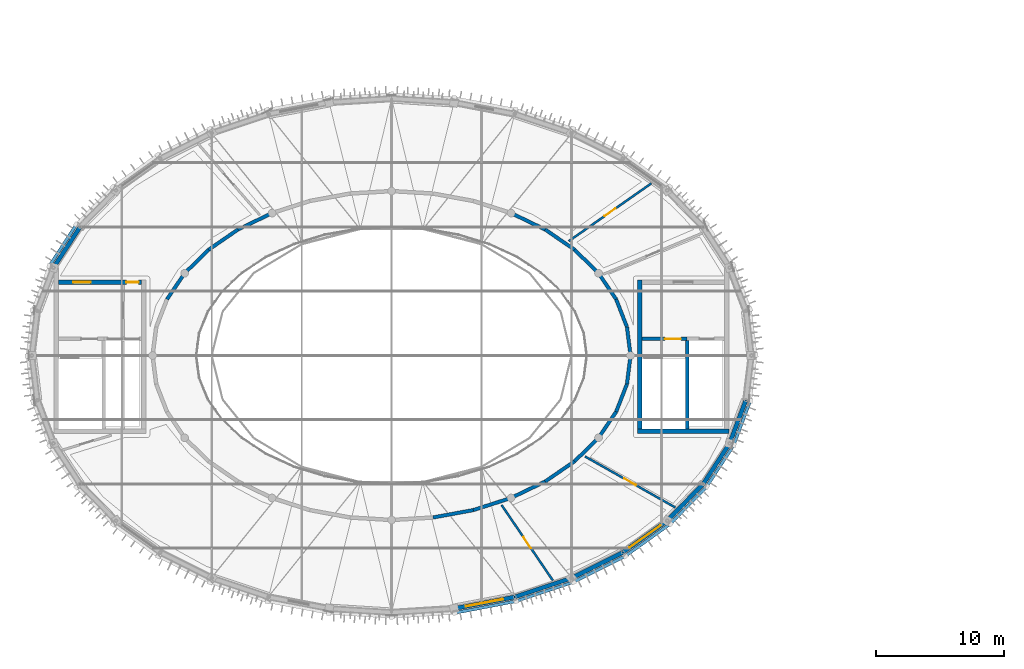
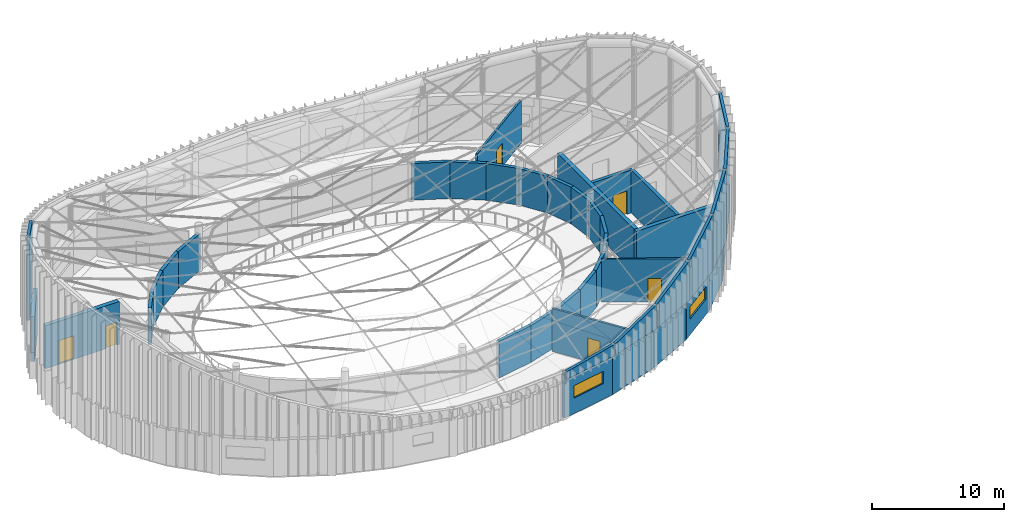
# One storey, part 26 of 36: 42 walls, 6 doors, 2 windows, 8 openings.
"""IFC4 building model written with IfcOpenShell, lengths in metres."""

from ifc_helpers import new_model, si_unit, direction, frame, frame_2d, origin, place, context, subcontext, project, spatial, polyline, rectangle, outline, extrude, material, layer, layer_set, type_object, element, fill, save


model = new_model("IFC4")

# Units and contexts
model_context = context("Model", 3, precision=1e-05, world=origin(), true_north=direction((0.0, 1.0)))
body_context = subcontext(model_context, "Body", "Model", "MODEL_VIEW")
ifc_project = project(units=[si_unit("LENGTHUNIT", "METRE"), si_unit("AREAUNIT", "SQUARE_METRE"), si_unit("VOLUMEUNIT", "CUBIC_METRE"), si_unit("PLANEANGLEUNIT", "RADIAN"), si_unit("MASSUNIT", "GRAM", prefix="KILO")], contexts=[model_context])

# Site, building, storey
site_placement = place(None, origin())
site = spatial("IfcSite", under=ifc_project, at=site_placement, CompositionType="ELEMENT")
building_placement = place(site_placement, origin())
building = spatial("IfcBuilding", under=site, at=building_placement, Name="Tarnveldt Headland Concert Hall", CompositionType="ELEMENT")
storey_placement = place(building_placement, frame((0.0, 0.0, 22.800048828125)))
storey = spatial("IfcBuildingStorey", under=building, at=storey_placement, Name="L05", CompositionType="ELEMENT", Elevation=22.800048828125)

# Wall
ifc_material_1 = material(Name="Concrete C40/50", Category="concrete")
ifc_layer_1 = layer(ifc_material_1, 0.324951171875, Name="Concrete C40/50", Category="concrete")
ifc_layer_set_1 = layer_set([ifc_layer_1], Name="Concrete C40/50")
wall_type_1 = type_object("IfcWallType", Name="WL-CR325", PredefinedType="SHEAR", material=ifc_layer_set_1)
wall_1_placement = place(storey_placement, frame((59.251220703125, 64.5, 0.0), z_axis=(0.0, 0.0, 1.0), x_axis=(-0.546611158382, -0.837386554425, 0.0)))
element("IfcWall", 1, at=wall_1_placement, inside=storey, type_object=wall_type_1, Name="Symphony drum shear wall L05-16", PredefinedType="SHEAR", context=body_context, shape_type="SweptSolid", body=[
    extrude(rectangle(XDim=3.773193359375, YDim=0.324951171875, at=frame_2d((1.88671875, 0.0))), origin(), (0.0, 0.0, 1.0), 4.199951171875),
])

# Wall, opening, window
wall_2_placement = place(storey_placement, frame((88.362060546875, 34.8037109375, 0.0), z_axis=(0.0, 0.0, 1.0), x_axis=(0.982172578083, 0.187981453503, 0.0)))
wall_2 = element("IfcWall", 2, at=wall_2_placement, inside=storey, type_object=wall_type_1, Name="Symphony drum shear wall L05-29", PredefinedType="SHEAR", context=body_context, shape_type="SweptSolid", body=[
    extrude(rectangle(XDim=4.80029296875, YDim=0.324951171875, at=frame_2d((2.400146484375, 0.0))), origin(), (0.0, 0.0, 1.0), 4.199951171875),
])
opening_1_placement = place(wall_2_placement, frame((0.925048828125, 0.0, 1.449951171875)))
opening_1 = element("IfcOpeningElement", 3, at=opening_1_placement, cuts=wall_2, Name="Opening W-D022", PredefinedType="OPENING", context=body_context, shape_type="SweptSolid", body=[
    extrude(rectangle(XDim=2.949951171875, YDim=1.14990234375, at=frame_2d((1.47509765625, 0.574951171875))), frame((0.0, 0.17236328125, 0.0), z_axis=(0.0, -1.0, 0.0), x_axis=(1.0, 0.0, 0.0)), (0.0, 0.0, 1.0), 0.344970703125),
])
ifc_material_2 = material(Name="Acoustic laminated low-iron double glazing", Category="glass")
window_type = type_object("IfcWindowType", Name="WN-23", PartitioningType="SINGLE_PANEL", PredefinedType="WINDOW", material=ifc_material_2)
window_1_placement = place(opening_1_placement, origin())
window_1 = element("IfcWindow", 4, at=window_1_placement, inside=storey, type_object=window_type, Name="Drum acoustic gallery window L05-29", OverallHeight=1.14990234375, OverallWidth=2.949951171875, PartitioningType="SINGLE_PANEL", PredefinedType="WINDOW", context=body_context, shape_type="SweptSolid", body=[
    extrude(rectangle(XDim=2.949951171875, YDim=1.14990234375, at=frame_2d((1.47509765625, 0.574951171875))), frame((0.0, 0.030029296875, 0.0), z_axis=(0.0, -1.0, 0.0), x_axis=(1.0, 0.0, 0.0)), (0.0, 0.0, 1.0), 0.06005859375),
])
fill(opening_1, window_1)

# Walls
wall_3_placement = place(storey_placement, frame((93.07666015625, 35.7060546875, 0.0), z_axis=(0.0, 0.0, 1.0), x_axis=(0.948751350732, 0.316023534699, 0.0)))
element("IfcWall", 5, at=wall_3_placement, inside=storey, type_object=wall_type_1, Name="Symphony drum shear wall L05-30", PredefinedType="SHEAR", context=body_context, shape_type="SweptSolid", body=[
    extrude(rectangle(XDim=4.662353515625, YDim=0.324951171875, at=frame_2d((2.3310546875, 0.0))), origin(), (0.0, 0.0, 1.0), 4.199951171875),
])
wall_4_placement = place(storey_placement, frame((97.5, 37.179443359375, 0.0), z_axis=(0.0, 0.0, 1.0), x_axis=(0.894361644392, 0.447344664705, 0.0)))
element("IfcWall", 6, at=wall_4_placement, inside=storey, type_object=wall_type_1, Name="Symphony drum shear wall L05-31", PredefinedType="SHEAR", context=body_context, shape_type="SweptSolid", body=[
    extrude(rectangle(XDim=4.47021484375, YDim=0.324951171875, at=frame_2d((2.235107421875, 0.0))), origin(), (0.0, 0.0, 1.0), 4.199951171875),
])

# Wall, opening, window
wall_5_placement = place(storey_placement, frame((101.498046875, 39.17919921875, 0.0), z_axis=(0.0, 0.0, 1.0), x_axis=(0.813737360708, 0.581232748378, 0.0)))
wall_5 = element("IfcWall", 7, at=wall_5_placement, inside=storey, type_object=wall_type_1, Name="Symphony drum shear wall L05-32", PredefinedType="SHEAR", context=body_context, shape_type="SweptSolid", body=[
    extrude(rectangle(XDim=4.2412109375, YDim=0.324951171875, at=frame_2d((2.12060546875, 0.0))), origin(), (0.0, 0.0, 1.0), 4.199951171875),
])
opening_2_placement = place(wall_5_placement, frame((0.6455078125, 0.0, 1.449951171875)))
opening_2 = element("IfcOpeningElement", 8, at=opening_2_placement, cuts=wall_5, Name="Opening W-D023", PredefinedType="OPENING", context=body_context, shape_type="SweptSolid", body=[
    extrude(rectangle(XDim=2.949951171875, YDim=1.14990234375, at=frame_2d((1.47509765625, 0.574951171875))), frame((0.0, 0.17236328125, 0.0), z_axis=(0.0, -1.0, 0.0), x_axis=(1.0, 0.0, 0.0)), (0.0, 0.0, 1.0), 0.344970703125),
])
window_2_placement = place(opening_2_placement, origin())
window_2 = element("IfcWindow", 9, at=window_2_placement, inside=storey, type_object=window_type, Name="Drum acoustic gallery window L05-32", OverallHeight=1.14990234375, OverallWidth=2.949951171875, PartitioningType="SINGLE_PANEL", PredefinedType="WINDOW", context=body_context, shape_type="SweptSolid", body=[
    extrude(rectangle(XDim=2.949951171875, YDim=1.14990234375, at=frame_2d((1.47509765625, 0.574951171875))), frame((0.0, 0.030029296875, 0.0), z_axis=(0.0, -1.0, 0.0), x_axis=(1.0, 0.0, 0.0)), (0.0, 0.0, 1.0), 0.06005859375),
])
fill(opening_2, window_2)

# Walls
wall_6_placement = place(storey_placement, frame((104.94921875, 41.644287109375, 0.0), z_axis=(0.0, 0.0, 1.0), x_axis=(0.700051268358, 0.714092586203, 0.0)))
element("IfcWall", 10, at=wall_6_placement, inside=storey, type_object=wall_type_1, Name="Symphony drum shear wall L05-33", PredefinedType="SHEAR", context=body_context, shape_type="SweptSolid", body=[
    extrude(rectangle(XDim=3.9990234375, YDim=0.324951171875, at=frame_2d((1.99951171875, 0.0))), origin(), (0.0, 0.0, 1.0), 4.199951171875),
])
wall_7_placement = place(storey_placement, frame((107.748779296875, 44.5, 0.0), z_axis=(0.0, 0.0, 1.0), x_axis=(0.546611158382, 0.837386554425, 0.0)))
element("IfcWall", 11, at=wall_7_placement, inside=storey, type_object=wall_type_1, Name="Symphony drum shear wall L05-34", PredefinedType="SHEAR", context=body_context, shape_type="SweptSolid", body=[
    extrude(rectangle(XDim=3.773193359375, YDim=0.324951171875, at=frame_2d((1.88671875, 0.0))), origin(), (0.0, 0.0, 1.0), 4.199951171875),
])
wall_8_placement = place(storey_placement, frame((109.811279296875, 47.65966796875, 0.0), z_axis=(0.0, 0.0, 1.0), x_axis=(0.351279653979, 0.936270583058, 0.0)))
element("IfcWall", 12, at=wall_8_placement, inside=storey, type_object=wall_type_1, Name="Symphony drum shear wall L05-35", PredefinedType="SHEAR", context=body_context, shape_type="SweptSolid", body=[
    extrude(rectangle(XDim=3.5966796875, YDim=0.324951171875, at=frame_2d((1.79833984375, 0.0))), origin(), (0.0, 0.0, 1.0), 4.199951171875),
])

# Wall, openings, doors
ifc_layer_2 = layer(ifc_material_1, 0.35009765625, Name="Concrete C40/50", Category="concrete")
ifc_layer_set_2 = layer_set([ifc_layer_2], Name="Concrete C40/50")
wall_type_2 = type_object("IfcWallType", Name="WL-CR350", PredefinedType="SHEAR", material=ifc_layer_set_2)
wall_9_placement = place(storey_placement, frame((57.574951171875, 60.199951171875, 0.0), z_axis=(0.0, 0.0, 1.0), x_axis=(1.0, 0.0, 0.0)))
wall_9 = element("IfcWall", 13, at=wall_9_placement, inside=storey, type_object=wall_type_2, Name="Core C1 north shear wall L05", PredefinedType="SHEAR", context=body_context, shape_type="SweptSolid", body=[
    extrude(rectangle(XDim=6.449951171875, YDim=0.35009765625, at=frame_2d((3.22509765625, 0.0))), origin(), (0.0, 0.0, 1.0), 3.97998046875),
])
opening_3_placement = place(wall_9_placement, frame((1.14990234375, 0.0, 0.0)))
opening_3 = element("IfcOpeningElement", 14, at=opening_3_placement, cuts=wall_9, Name="Opening FFD-C1-L05", PredefinedType="OPENING", context=body_context, shape_type="SweptSolid", body=[
    extrude(rectangle(XDim=1.35009765625, YDim=2.199951171875, at=frame_2d((0.675048828125, 1.10009765625))), frame((0.0, 0.18505859375, 0.0), z_axis=(0.0, -1.0, 0.0), x_axis=(1.0, 0.0, 0.0)), (0.0, 0.0, 1.0), 0.3701171875),
])
opening_4_placement = place(wall_9_placement, frame((5.280029296875, 0.0, 0.0)))
opening_4 = element("IfcOpeningElement", 15, at=opening_4_placement, cuts=wall_9, Name="Opening LBD-C1-L05", PredefinedType="OPENING", context=body_context, shape_type="SweptSolid", body=[
    extrude(rectangle(XDim=0.949951171875, YDim=2.1201171875, at=frame_2d((0.47509765625, 1.06005859375))), frame((0.0, 0.18505859375, 0.0), z_axis=(0.0, -1.0, 0.0), x_axis=(1.0, 0.0, 0.0)), (0.0, 0.0, 1.0), 0.3701171875),
])
ifc_material_3 = material(Name="Galvanised painted steel sheet", Category="steel")
door_type_1 = type_object("IfcDoorType", Name="DR-FF135", OperationType="NOTDEFINED", PredefinedType="DOOR", material=ifc_material_3)
door_1_placement = place(opening_3_placement, origin())
door_1 = element("IfcDoor", 16, at=door_1_placement, inside=storey, type_object=door_type_1, Name="Core C1 firefighting lobby entrance door L05", OperationType="SINGLE_SWING_RIGHT", OverallHeight=2.199951171875, OverallWidth=1.35009765625, PredefinedType="DOOR", context=body_context, shape_type="SweptSolid", body=[
    extrude(rectangle(XDim=1.35009765625, YDim=2.199951171875, at=frame_2d((0.675048828125, 1.10009765625))), frame((0.0, 0.02490234375, 0.0), z_axis=(0.0, -1.0, 0.0), x_axis=(1.0, 0.0, 0.0)), (0.0, 0.0, 1.0), 0.050048828125),
])
fill(opening_3, door_1)
ifc_material_4 = material(Name="Treated East African mvule hardwood", Category="wood")
door_type_2 = type_object("IfcDoorType", Name="DR-RM095", OperationType="NOTDEFINED", PredefinedType="DOOR", material=ifc_material_4)
door_2_placement = place(opening_4_placement, origin())
door_2 = element("IfcDoor", 17, at=door_2_placement, inside=storey, type_object=door_type_2, Name="Core C1 lift lobby entrance door L05", OperationType="SINGLE_SWING_LEFT", OverallHeight=2.1201171875, OverallWidth=0.949951171875, PredefinedType="DOOR", context=body_context, shape_type="SweptSolid", body=[
    extrude(rectangle(XDim=0.949951171875, YDim=2.1201171875, at=frame_2d((0.47509765625, 1.06005859375))), frame((0.0, 0.02490234375, 0.0), z_axis=(0.0, -1.0, 0.0), x_axis=(1.0, 0.0, 0.0)), (0.0, 0.0, 1.0), 0.050048828125),
])
fill(opening_4, door_2)

# Walls
wall_10_placement = place(storey_placement, frame((102.625, 48.60009765625, 0.0), z_axis=(0.0, 0.0, 1.0), x_axis=(1.0, 0.0, 0.0)))
element("IfcWall", 18, at=wall_10_placement, inside=storey, type_object=wall_type_2, Name="Core C2 south shear wall L05", PredefinedType="SHEAR", context=body_context, shape_type="SweptSolid", body=[
    extrude(rectangle(XDim=7.14990234375, YDim=0.35009765625, at=frame_2d((3.574951171875, 0.0))), origin(), (0.0, 0.0, 1.0), 3.97998046875),
])
wall_11_placement = place(storey_placement, frame((102.800048828125, 48.77490234375, 0.0), z_axis=(0.0, 0.0, 1.0), x_axis=(0.0, 1.0, 0.0)))
element("IfcWall", 19, at=wall_11_placement, inside=storey, type_object=wall_type_2, Name="Core C2 west shear wall L05", PredefinedType="SHEAR", context=body_context, shape_type="SweptSolid", body=[
    extrude(rectangle(XDim=11.60009765625, YDim=0.35009765625, at=frame_2d((5.800048828125, 0.0))), origin(), (0.0, 0.0, 1.0), 3.97998046875),
])
ifc_material_5 = material(Name="Coral-toned precast concrete C40/50", Category="concrete")
ifc_layer_3 = layer(ifc_material_5, 0.239990234375, Name="Coral-toned precast concrete C40/50", Category="concrete")
ifc_layer_set_3 = layer_set([ifc_layer_3], Name="Coral-toned precast concrete C40/50")
wall_type_3 = type_object("IfcWallType", Name="WL-EX240", PredefinedType="SOLIDWALL", material=ifc_layer_set_3)
wall_12_placement = place(storey_placement, frame((58.966552734375, 64.685791015625, 3.800048828125), z_axis=(0.0, 0.0, 1.0), x_axis=(-0.546686144595, -0.837337601752, 0.0)))
element("IfcWall", 20, at=wall_12_placement, inside=storey, type_object=wall_type_3, Name="Crown saddle acoustic tympanum panel 16", PredefinedType="SOLIDWALL", context=body_context, shape_type="SweptSolid", body=[
    extrude(outline(polyline([(0.0, 0.0), (3.773193359375, 0.0), (3.773193359375, 7.79052734375), (0.0, 6.619873046875), (0.0, 0.0)])), frame((0.0, 0.1201171875, 0.0), z_axis=(0.0, -1.0, 0.0), x_axis=(1.0, 0.0, 0.0)), (0.0, 0.0, 1.0), 0.239990234375),
])
wall_13_placement = place(storey_placement, frame((88.426025390625, 34.469970703125, 3.800048828125), z_axis=(0.0, 0.0, 1.0), x_axis=(0.98217078068, 0.187990844401, 0.0)))
element("IfcWall", 21, at=wall_13_placement, inside=storey, type_object=wall_type_3, Name="Crown saddle acoustic tympanum panel 29", PredefinedType="SOLIDWALL", context=body_context, shape_type="SweptSolid", body=[
    extrude(outline(polyline([(0.0, 0.0), (4.800048828125, 0.0), (4.800048828125, 1.04931640625), (0.0, 0.699951171875), (0.0, 0.0)])), frame((0.0, 0.1201171875, 0.0), z_axis=(0.0, -1.0, 0.0), x_axis=(1.0, 0.0, 0.0)), (0.0, 0.0, 1.0), 0.239990234375),
])
wall_14_placement = place(storey_placement, frame((93.18408203125, 35.383544921875, 3.800048828125), z_axis=(0.0, 0.0, 1.0), x_axis=(0.948751350732, 0.316023534699, 0.0)))
element("IfcWall", 22, at=wall_14_placement, inside=storey, type_object=wall_type_3, Name="Crown saddle acoustic tympanum panel 30", PredefinedType="SOLIDWALL", context=body_context, shape_type="SweptSolid", body=[
    extrude(outline(polyline([(0.0, 0.0), (4.662353515625, 0.0), (4.662353515625, 2.219970703125), (0.0, 1.04931640625), (0.0, 0.0)])), frame((0.0, 0.1201171875, 0.0), z_axis=(0.0, -1.0, 0.0), x_axis=(1.0, 0.0, 0.0)), (0.0, 0.0, 1.0), 0.239990234375),
])
wall_15_placement = place(storey_placement, frame((97.652099609375, 36.87548828125, 3.800048828125), z_axis=(0.0, 0.0, 1.0), x_axis=(0.894383494328, 0.447300978172, 0.0)))
element("IfcWall", 23, at=wall_15_placement, inside=storey, type_object=wall_type_3, Name="Crown saddle acoustic tympanum panel 31", PredefinedType="SOLIDWALL", context=body_context, shape_type="SweptSolid", body=[
    extrude(outline(polyline([(0.0, 0.0), (4.47021484375, 0.0), (4.47021484375, 3.656005859375), (0.0, 2.219970703125), (0.0, 0.0)])), frame((0.0, 0.1201171875, 0.0), z_axis=(0.0, -1.0, 0.0), x_axis=(1.0, 0.0, 0.0)), (0.0, 0.0, 1.0), 0.239990234375),
])
wall_16_placement = place(storey_placement, frame((101.69580078125, 38.90234375, 3.800048828125), z_axis=(0.0, 0.0, 1.0), x_axis=(0.813717912107, 0.581259975843, 0.0)))
element("IfcWall", 24, at=wall_16_placement, inside=storey, type_object=wall_type_3, Name="Crown saddle acoustic tympanum panel 32", PredefinedType="SOLIDWALL", context=body_context, shape_type="SweptSolid", body=[
    extrude(outline(polyline([(0.0, 0.0), (4.240966796875, 0.0), (4.2412109375, 5.183837890625), (0.0, 3.656005859375), (0.0, 0.0)])), frame((0.0, 0.1201171875, 0.0), z_axis=(0.0, -1.0, 0.0), x_axis=(1.0, 0.0, 0.0)), (0.0, 0.0, 1.0), 0.239990234375),
])
wall_17_placement = place(storey_placement, frame((105.19189453125, 41.40625, 3.800048828125), z_axis=(0.0, 0.0, 1.0), x_axis=(0.700051268358, 0.714092586203, 0.0)))
element("IfcWall", 25, at=wall_17_placement, inside=storey, type_object=wall_type_3, Name="Crown saddle acoustic tympanum panel 33", PredefinedType="SOLIDWALL", context=body_context, shape_type="SweptSolid", body=[
    extrude(outline(polyline([(0.0, 0.0), (3.9990234375, 0.0), (3.9990234375, 6.619873046875), (0.0, 5.183837890625), (0.0, 0.0)])), frame((0.0, 0.1201171875, 0.0), z_axis=(0.0, -1.0, 0.0), x_axis=(1.0, 0.0, 0.0)), (0.0, 0.0, 1.0), 0.239990234375),
])
wall_18_placement = place(storey_placement, frame((108.033447265625, 44.314208984375, 3.800048828125), z_axis=(0.0, 0.0, 1.0), x_axis=(0.546686144595, 0.837337601752, 0.0)))
element("IfcWall", 26, at=wall_18_placement, inside=storey, type_object=wall_type_3, Name="Crown saddle acoustic tympanum panel 34", PredefinedType="SOLIDWALL", context=body_context, shape_type="SweptSolid", body=[
    extrude(outline(polyline([(0.0, 0.0), (3.773193359375, 0.0), (3.773193359375, 7.79052734375), (0.0, 6.619873046875), (0.0, 0.0)])), frame((0.0, 0.1201171875, 0.0), z_axis=(0.0, -1.0, 0.0), x_axis=(1.0, 0.0, 0.0)), (0.0, 0.0, 1.0), 0.239990234375),
])
wall_19_placement = place(storey_placement, frame((110.129638671875, 47.540283203125, 3.800048828125), z_axis=(0.0, 0.0, 1.0), x_axis=(0.351220147955, 0.936292906985, 0.0)))
element("IfcWall", 27, at=wall_19_placement, inside=storey, type_object=wall_type_3, Name="Crown saddle acoustic tympanum panel 35", PredefinedType="SOLIDWALL", context=body_context, shape_type="SweptSolid", body=[
    extrude(outline(polyline([(0.0, 0.0), (3.5966796875, 0.0), (3.596435546875, 8.554443359375), (0.0, 7.79052734375), (0.0, 0.0)])), frame((0.0, 0.1201171875, 0.0), z_axis=(0.0, -1.0, 0.0), x_axis=(1.0, 0.0, 0.0)), (0.0, 0.0, 1.0), 0.239990234375),
])

# Wall, opening, door
ifc_material_6 = material(Name="Acoustic multi-layer gypsum and mineral-wool partition", Category="gypsum")
ifc_layer_4 = layer(ifc_material_6, 0.1650390625, Name="Acoustic multi-layer gypsum and mineral-wool partition", Category="gypsum")
ifc_layer_set_4 = layer_set([ifc_layer_4], Name="Acoustic multi-layer gypsum and mineral-wool partition")
wall_type_4 = type_object("IfcWallType", Name="WL-PT165", PredefinedType="PARTITIONING", material=ifc_layer_set_4)
wall_20_placement = place(storey_placement, frame((92.0576171875, 42.872314453125, 0.0), z_axis=(0.0, 0.0, 1.0), x_axis=(0.561953973971, -0.827168502264, 0.0)))
wall_20 = element("IfcWall", 28, at=wall_20_placement, inside=storey, type_object=wall_type_4, Name="Interior acoustic partition L05-249", PredefinedType="PARTITIONING", context=body_context, shape_type="SweptSolid", body=[
    extrude(rectangle(XDim=7.109375, YDim=0.1650390625, at=frame_2d((3.5546875, 0.0))), origin(), (0.0, 0.0, 1.0), 3.973876953125),
])
opening_5_placement = place(wall_20_placement, frame((3.02978515625, 0.0, 0.0)))
opening_5 = element("IfcOpeningElement", 29, at=opening_5_placement, cuts=wall_20, Name="Opening D-L05-245", PredefinedType="OPENING", context=body_context, shape_type="SweptSolid", body=[
    extrude(rectangle(XDim=1.050048828125, YDim=2.14990234375, at=frame_2d((0.52490234375, 1.074951171875))), frame((0.0, 0.092529296875, 0.0), z_axis=(0.0, -1.0, 0.0), x_axis=(1.0, 0.0, 0.0)), (0.0, 0.0, 1.0), 0.18505859375),
])
door_type_3 = type_object("IfcDoorType", Name="DR-RM105", OperationType="NOTDEFINED", PredefinedType="DOOR", material=ifc_material_4)
door_3_placement = place(opening_5_placement, origin())
door_3 = element("IfcDoor", 30, at=door_3_placement, inside=storey, type_object=door_type_3, Name="Interior room door L05-245", OperationType="SINGLE_SWING_LEFT", OverallHeight=2.14990234375, OverallWidth=1.050048828125, PredefinedType="DOOR", context=body_context, shape_type="SweptSolid", body=[
    extrude(rectangle(XDim=1.050048828125, YDim=2.14990234375, at=frame_2d((0.52490234375, 1.074951171875))), frame((0.0, 0.02490234375, 0.0), z_axis=(0.0, -1.0, 0.0), x_axis=(1.0, 0.0, 0.0)), (0.0, 0.0, 1.0), 0.050048828125),
])
fill(opening_5, door_3)

wall_21_placement = place(storey_placement, frame((98.55419921875, 46.646240234375, 0.0), z_axis=(0.0, 0.0, 1.0), x_axis=(0.870587620776, -0.492013408914, 0.0)))
wall_21 = element("IfcWall", 31, at=wall_21_placement, inside=storey, type_object=wall_type_4, Name="Interior acoustic partition L05-250", PredefinedType="PARTITIONING", context=body_context, shape_type="SweptSolid", body=[
    extrude(rectangle(XDim=8.07275390625, YDim=0.1650390625, at=frame_2d((4.036376953125, 0.0))), origin(), (0.0, 0.0, 1.0), 3.973876953125),
])
opening_6_placement = place(wall_21_placement, frame((3.511474609375, 0.0, 0.0)))
opening_6 = element("IfcOpeningElement", 32, at=opening_6_placement, cuts=wall_21, Name="Opening D-L05-246", PredefinedType="OPENING", context=body_context, shape_type="SweptSolid", body=[
    extrude(rectangle(XDim=1.050048828125, YDim=2.14990234375, at=frame_2d((0.52490234375, 1.074951171875))), frame((0.0, 0.092529296875, 0.0), z_axis=(0.0, -1.0, 0.0), x_axis=(1.0, 0.0, 0.0)), (0.0, 0.0, 1.0), 0.18505859375),
])
door_4_placement = place(opening_6_placement, origin())
door_4 = element("IfcDoor", 33, at=door_4_placement, inside=storey, type_object=door_type_3, Name="Interior room door L05-246", OperationType="SINGLE_SWING_RIGHT", OverallHeight=2.14990234375, OverallWidth=1.050048828125, PredefinedType="DOOR", context=body_context, shape_type="SweptSolid", body=[
    extrude(rectangle(XDim=1.050048828125, YDim=2.14990234375, at=frame_2d((0.52490234375, 1.074951171875))), frame((0.0, 0.02490234375, 0.0), z_axis=(0.0, -1.0, 0.0), x_axis=(1.0, 0.0, 0.0)), (0.0, 0.0, 1.0), 0.050048828125),
])
fill(opening_6, door_4)

wall_22_placement = place(storey_placement, frame((97.285888671875, 63.400146484375, 0.0), z_axis=(0.0, 0.0, 1.0), x_axis=(0.819471352116, 0.573120147142, 0.0)))
wall_22 = element("IfcWall", 34, at=wall_22_placement, inside=storey, type_object=wall_type_4, Name="Interior acoustic partition L05-252", PredefinedType="PARTITIONING", context=body_context, shape_type="SweptSolid", body=[
    extrude(rectangle(XDim=7.85400390625, YDim=0.1650390625, at=frame_2d((3.927001953125, 0.0))), origin(), (0.0, 0.0, 1.0), 3.973876953125),
])
opening_7_placement = place(wall_22_placement, frame((3.40185546875, 0.0, 0.0)))
opening_7 = element("IfcOpeningElement", 35, at=opening_7_placement, cuts=wall_22, Name="Opening D-L05-248", PredefinedType="OPENING", context=body_context, shape_type="SweptSolid", body=[
    extrude(rectangle(XDim=1.050048828125, YDim=2.14990234375, at=frame_2d((0.52490234375, 1.074951171875))), frame((0.0, 0.092529296875, 0.0), z_axis=(0.0, -1.0, 0.0), x_axis=(1.0, 0.0, 0.0)), (0.0, 0.0, 1.0), 0.18505859375),
])
door_5_placement = place(opening_7_placement, origin())
door_5 = element("IfcDoor", 36, at=door_5_placement, inside=storey, type_object=door_type_3, Name="Interior room door L05-248", OperationType="SINGLE_SWING_RIGHT", OverallHeight=2.14990234375, OverallWidth=1.050048828125, PredefinedType="DOOR", context=body_context, shape_type="SweptSolid", body=[
    extrude(rectangle(XDim=1.050048828125, YDim=2.14990234375, at=frame_2d((0.52490234375, 1.074951171875))), frame((0.0, 0.02490234375, 0.0), z_axis=(0.0, -1.0, 0.0), x_axis=(1.0, 0.0, 0.0)), (0.0, 0.0, 1.0), 0.050048828125),
])
fill(opening_7, door_5)

# Walls
ifc_layer_5 = layer(ifc_material_1, 0.27490234375, Name="Concrete C40/50", Category="concrete")
ifc_layer_set_5 = layer_set([ifc_layer_5], Name="Concrete C40/50")
wall_type_5 = type_object("IfcWallType", Name="WL-SH275", PredefinedType="SHEAR", material=ifc_layer_set_5)
wall_23_placement = place(storey_placement, frame((102.10009765625, 54.5, 0.0), z_axis=(0.0, 0.0, 1.0), x_axis=(-0.126180195213, 0.992007337844, 0.0)))
element("IfcWall", 37, at=wall_23_placement, inside=storey, type_object=wall_type_5, Name="Acoustic inner box wall L05-1", PredefinedType="SHEAR", context=body_context, shape_type="SweptSolid", body=[
    extrude(rectangle(XDim=2.240478515625, YDim=0.27490234375, at=frame_2d((1.1201171875, 0.0))), origin(), (0.0, 0.0, 1.0), 3.39990234375),
])
wall_24_placement = place(storey_placement, frame((101.8173828125, 56.72265625, 0.0), z_axis=(0.0, 0.0, 1.0), x_axis=(-0.362802811216, 0.931865934657, 0.0)))
element("IfcWall", 38, at=wall_24_placement, inside=storey, type_object=wall_type_5, Name="Acoustic inner box wall L05-2", PredefinedType="SHEAR", context=body_context, shape_type="SweptSolid", body=[
    extrude(rectangle(XDim=2.312744140625, YDim=0.27490234375, at=frame_2d((1.15625, 0.0))), origin(), (0.0, 0.0, 1.0), 3.39990234375),
])
wall_25_placement = place(storey_placement, frame((100.978271484375, 58.8779296875, 0.0), z_axis=(0.0, 0.0, 1.0), x_axis=(-0.560958648975, 0.827843822312, 0.0)))
element("IfcWall", 39, at=wall_25_placement, inside=storey, type_object=wall_type_5, Name="Acoustic inner box wall L05-3", PredefinedType="SHEAR", context=body_context, shape_type="SweptSolid", body=[
    extrude(rectangle(XDim=2.4423828125, YDim=0.27490234375, at=frame_2d((1.22119140625, 0.0))), origin(), (0.0, 0.0, 1.0), 3.39990234375),
])
wall_26_placement = place(storey_placement, frame((99.608154296875, 60.89990234375, 0.0), z_axis=(0.0, 0.0, 1.0), x_axis=(-0.713212431679, 0.700947949065, 0.0)))
element("IfcWall", 40, at=wall_26_placement, inside=storey, type_object=wall_type_5, Name="Acoustic inner box wall L05-4", PredefinedType="SHEAR", context=body_context, shape_type="SweptSolid", body=[
    extrude(rectangle(XDim=2.607666015625, YDim=0.27490234375, at=frame_2d((1.3037109375, 0.0))), origin(), (0.0, 0.0, 1.0), 3.39990234375),
])
wall_27_placement = place(storey_placement, frame((97.748291015625, 62.727783203125, 0.0), z_axis=(0.0, 0.0, 1.0), x_axis=(-0.823780742291, 0.566908536388, 0.0)))
element("IfcWall", 41, at=wall_27_placement, inside=storey, type_object=wall_type_5, Name="Acoustic inner box wall L05-5", PredefinedType="SHEAR", context=body_context, shape_type="SweptSolid", body=[
    extrude(rectangle(XDim=2.782958984375, YDim=0.27490234375, at=frame_2d((1.3916015625, 0.0))), origin(), (0.0, 0.0, 1.0), 3.39990234375),
])
for number, where, z_axis, x_axis, name in (
    (42, (95.455810546875, 64.305419921875, 0.0), (0.0, 0.0, 1.0), (-0.900857755122, 0.434114391648, 0.0), "Acoustic inner box wall L05-6"),
    (43, (74.199951171875, 65.585205078125, 0.0), (0.0, 0.0, 1.0), (-0.900857755122, -0.434114391648, 0.0), "Acoustic inner box wall L05-13"),
):
    element("IfcWall", number, at=place(storey_placement, frame(where, z_axis=z_axis, x_axis=x_axis)), inside=storey, type_object=wall_type_5, Name=name, PredefinedType="SHEAR", context=body_context, shape_type="SweptSolid", body=[
        extrude(rectangle(XDim=2.947998046875, YDim=0.27490234375, at=frame_2d((1.47412109375, 0.0))), origin(), (0.0, 0.0, 1.0), 3.39990234375),
    ])
wall_28_placement = place(storey_placement, frame((71.544189453125, 64.305419921875, 0.0), z_axis=(0.0, 0.0, 1.0), x_axis=(-0.823780742291, -0.566908536388, 0.0)))
element("IfcWall", 44, at=wall_28_placement, inside=storey, type_object=wall_type_5, Name="Acoustic inner box wall L05-14", PredefinedType="SHEAR", context=body_context, shape_type="SweptSolid", body=[
    extrude(rectangle(XDim=2.782958984375, YDim=0.27490234375, at=frame_2d((1.3916015625, 0.0))), origin(), (0.0, 0.0, 1.0), 3.39990234375),
])
wall_29_placement = place(storey_placement, frame((69.251708984375, 62.727783203125, 0.0), z_axis=(0.0, 0.0, 1.0), x_axis=(-0.713212431679, -0.700947949065, 0.0)))
element("IfcWall", 45, at=wall_29_placement, inside=storey, type_object=wall_type_5, Name="Acoustic inner box wall L05-15", PredefinedType="SHEAR", context=body_context, shape_type="SweptSolid", body=[
    extrude(rectangle(XDim=2.607666015625, YDim=0.27490234375, at=frame_2d((1.3037109375, 0.0))), origin(), (0.0, 0.0, 1.0), 3.39990234375),
])
wall_30_placement = place(storey_placement, frame((67.391845703125, 60.89990234375, 0.0), z_axis=(0.0, 0.0, 1.0), x_axis=(-0.560958648975, -0.827843822312, 0.0)))
element("IfcWall", 46, at=wall_30_placement, inside=storey, type_object=wall_type_5, Name="Acoustic inner box wall L05-16", PredefinedType="SHEAR", context=body_context, shape_type="SweptSolid", body=[
    extrude(rectangle(XDim=2.4423828125, YDim=0.27490234375, at=frame_2d((1.22119140625, 0.0))), origin(), (0.0, 0.0, 1.0), 3.39990234375),
])
wall_31_placement = place(storey_placement, frame((86.72998046875, 41.89453125, 0.0), z_axis=(0.0, 0.0, 1.0), x_axis=(0.9834240594, 0.18132048807, 0.0)))
element("IfcWall", 47, at=wall_31_placement, inside=storey, type_object=wall_type_5, Name="Acoustic inner box wall L05-29", PredefinedType="SHEAR", context=body_context, shape_type="SweptSolid", body=[
    extrude(rectangle(XDim=3.184326171875, YDim=0.27490234375, at=frame_2d((1.59228515625, 0.0))), origin(), (0.0, 0.0, 1.0), 3.39990234375),
])
wall_32_placement = place(storey_placement, frame((89.861572265625, 42.471923828125, 0.0), z_axis=(0.0, 0.0, 1.0), x_axis=(0.952183186678, 0.305527705795, 0.0)))
element("IfcWall", 48, at=wall_32_placement, inside=storey, type_object=wall_type_5, Name="Acoustic inner box wall L05-30", PredefinedType="SHEAR", context=body_context, shape_type="SweptSolid", body=[
    extrude(rectangle(XDim=3.0859375, YDim=0.27490234375, at=frame_2d((1.54296875, 0.0))), origin(), (0.0, 0.0, 1.0), 3.39990234375),
])
wall_33_placement = place(storey_placement, frame((92.800048828125, 43.414794921875, 0.0), z_axis=(0.0, 0.0, 1.0), x_axis=(0.900857755122, 0.434114391648, 0.0)))
element("IfcWall", 49, at=wall_33_placement, inside=storey, type_object=wall_type_5, Name="Acoustic inner box wall L05-31", PredefinedType="SHEAR", context=body_context, shape_type="SweptSolid", body=[
    extrude(rectangle(XDim=2.947998046875, YDim=0.27490234375, at=frame_2d((1.47412109375, 0.0))), origin(), (0.0, 0.0, 1.0), 3.39990234375),
])
wall_34_placement = place(storey_placement, frame((95.455810546875, 44.694580078125, 0.0), z_axis=(0.0, 0.0, 1.0), x_axis=(0.823780742291, 0.566908536388, 0.0)))
element("IfcWall", 50, at=wall_34_placement, inside=storey, type_object=wall_type_5, Name="Acoustic inner box wall L05-32", PredefinedType="SHEAR", context=body_context, shape_type="SweptSolid", body=[
    extrude(rectangle(XDim=2.782958984375, YDim=0.27490234375, at=frame_2d((1.3916015625, 0.0))), origin(), (0.0, 0.0, 1.0), 3.39990234375),
])
wall_35_placement = place(storey_placement, frame((97.748291015625, 46.272216796875, 0.0), z_axis=(0.0, 0.0, 1.0), x_axis=(0.713212431679, 0.700947949065, 0.0)))
element("IfcWall", 51, at=wall_35_placement, inside=storey, type_object=wall_type_5, Name="Acoustic inner box wall L05-33", PredefinedType="SHEAR", context=body_context, shape_type="SweptSolid", body=[
    extrude(rectangle(XDim=2.607666015625, YDim=0.27490234375, at=frame_2d((1.3037109375, 0.0))), origin(), (0.0, 0.0, 1.0), 3.39990234375),
])
wall_36_placement = place(storey_placement, frame((99.608154296875, 48.10009765625, 0.0), z_axis=(0.0, 0.0, 1.0), x_axis=(0.560958648975, 0.827843822312, 0.0)))
element("IfcWall", 52, at=wall_36_placement, inside=storey, type_object=wall_type_5, Name="Acoustic inner box wall L05-34", PredefinedType="SHEAR", context=body_context, shape_type="SweptSolid", body=[
    extrude(rectangle(XDim=2.4423828125, YDim=0.27490234375, at=frame_2d((1.22119140625, 0.0))), origin(), (0.0, 0.0, 1.0), 3.39990234375),
])
wall_37_placement = place(storey_placement, frame((100.978271484375, 50.1220703125, 0.0), z_axis=(0.0, 0.0, 1.0), x_axis=(0.362802811216, 0.931865934657, 0.0)))
element("IfcWall", 53, at=wall_37_placement, inside=storey, type_object=wall_type_5, Name="Acoustic inner box wall L05-35", PredefinedType="SHEAR", context=body_context, shape_type="SweptSolid", body=[
    extrude(rectangle(XDim=2.312744140625, YDim=0.27490234375, at=frame_2d((1.15625, 0.0))), origin(), (0.0, 0.0, 1.0), 3.39990234375),
])
wall_38_placement = place(storey_placement, frame((101.8173828125, 52.27734375, 0.0), z_axis=(0.0, 0.0, 1.0), x_axis=(0.126180195213, 0.992007337844, 0.0)))
element("IfcWall", 54, at=wall_38_placement, inside=storey, type_object=wall_type_5, Name="Acoustic inner box wall L05-36", PredefinedType="SHEAR", context=body_context, shape_type="SweptSolid", body=[
    extrude(rectangle(XDim=2.240478515625, YDim=0.27490234375, at=frame_2d((1.1201171875, 0.0))), origin(), (0.0, 0.0, 1.0), 3.39990234375),
])
wall_39_placement = place(storey_placement, frame((106.5, 48.77490234375, 0.0), z_axis=(0.0, 0.0, 1.0), x_axis=(0.0, 1.0, 0.0)))
element("IfcWall", 55, at=wall_39_placement, inside=storey, type_object=wall_type_5, Name="Core C2 shaft divider wall L05", PredefinedType="SHEAR", context=body_context, shape_type="SweptSolid", body=[
    extrude(rectangle(XDim=6.8876953125, YDim=0.27490234375, at=frame_2d((3.44384765625, 0.0))), origin(), (0.0, 0.0, 1.0), 3.97998046875),
])

# Wall, opening, door
wall_40_placement = place(storey_placement, frame((102.97509765625, 55.800048828125, 0.0), z_axis=(0.0, 0.0, 1.0), x_axis=(1.0, 0.0, 0.0)))
wall_40 = element("IfcWall", 56, at=wall_40_placement, inside=storey, type_object=wall_type_5, Name="Core C2 stair enclosure wall L05", PredefinedType="SHEAR", context=body_context, shape_type="SweptSolid", body=[
    extrude(rectangle(XDim=3.52490234375, YDim=0.27490234375, at=frame_2d((1.762451171875, 0.0))), origin(), (0.0, 0.0, 1.0), 3.97998046875),
])
opening_8_placement = place(wall_40_placement, frame((1.784912109375, 0.0, 0.0)))
opening_8 = element("IfcOpeningElement", 57, at=opening_8_placement, cuts=wall_40, Name="Opening SD-C2-L05", PredefinedType="OPENING", context=body_context, shape_type="SweptSolid", body=[
    extrude(rectangle(XDim=1.25, YDim=2.14990234375, at=frame_2d((0.625, 1.074951171875))), frame((0.0, 0.1474609375, 0.0), z_axis=(0.0, -1.0, 0.0), x_axis=(1.0, 0.0, 0.0)), (0.0, 0.0, 1.0), 0.294921875),
])
door_type_4 = type_object("IfcDoorType", Name="DR-ST125", OperationType="NOTDEFINED", PredefinedType="DOOR", material=ifc_material_3)
door_6_placement = place(opening_8_placement, origin())
door_6 = element("IfcDoor", 58, at=door_6_placement, inside=storey, type_object=door_type_4, Name="Core C2 stair fire door L05", OperationType="SINGLE_SWING_RIGHT", OverallHeight=2.14990234375, OverallWidth=1.25, PredefinedType="DOOR", context=body_context, shape_type="SweptSolid", body=[
    extrude(rectangle(XDim=1.25, YDim=2.14990234375, at=frame_2d((0.625, 1.074951171875))), frame((0.0, 0.02490234375, 0.0), z_axis=(0.0, -1.0, 0.0), x_axis=(1.0, 0.0, 0.0)), (0.0, 0.0, 1.0), 0.050048828125),
])
fill(opening_8, door_6)

save(model, "model.ifc")
